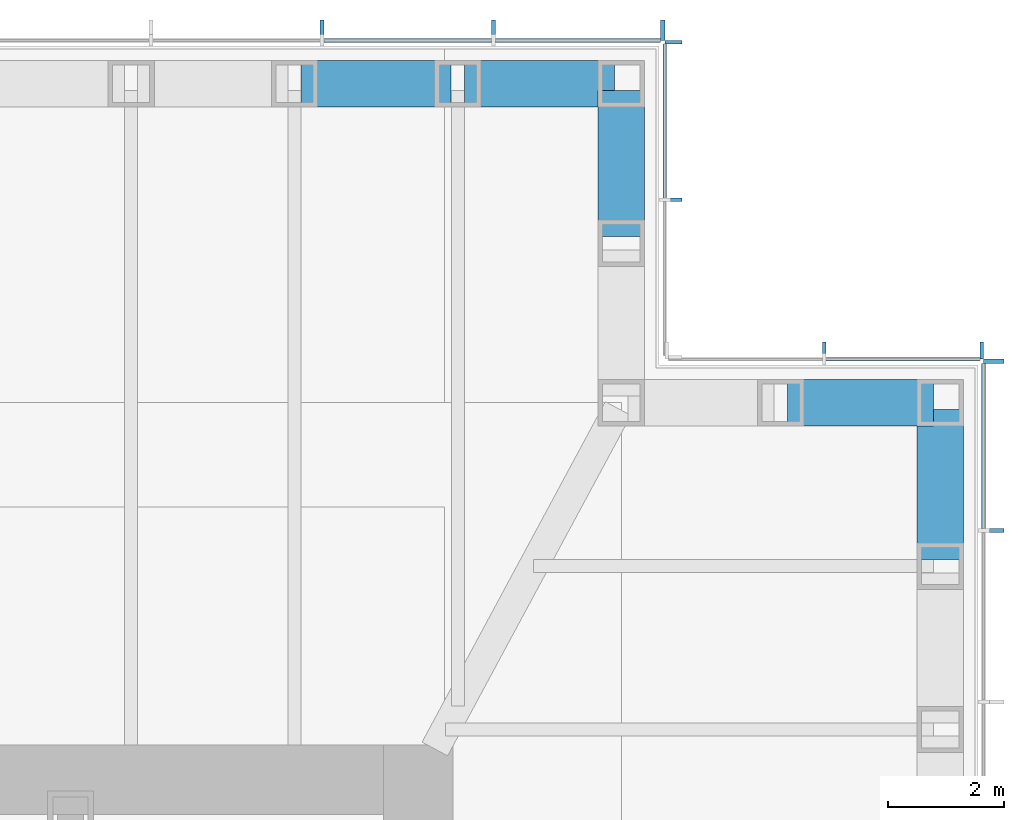
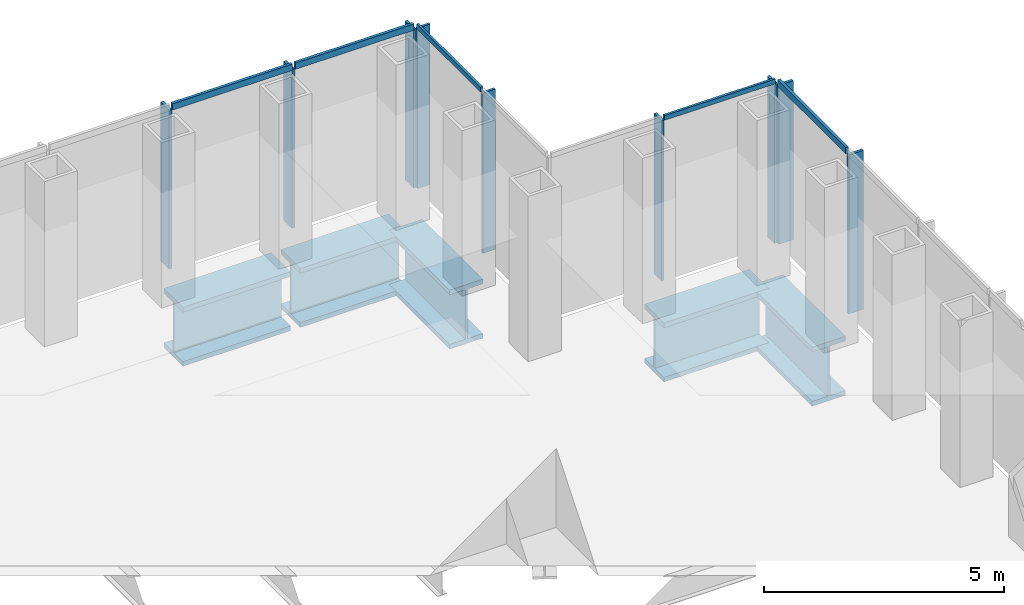
# One storey, part 6 of 16: 14 members, 5 beams, 4 elements without a shape of their own.
"""IFC4 building model written with IfcOpenShell, lengths in metres."""

from ifc_helpers import new_model, si_unit, direction, frame, origin, origin_2d, place, context, subcontext, project, spatial, rectangle, i_section, extrude, material, material_profile, profile_set, type_object, element, aggregate, save


model = new_model("IFC4")

# Units and contexts
model_context = context("Model", 3, precision=1e-05, world=origin(), true_north=direction((0.0, 1.0)))
body_context = subcontext(model_context, "Body", "Model", "MODEL_VIEW")
ifc_project = project(units=[si_unit("LENGTHUNIT", "METRE"), si_unit("AREAUNIT", "SQUARE_METRE"), si_unit("VOLUMEUNIT", "CUBIC_METRE"), si_unit("PLANEANGLEUNIT", "RADIAN"), si_unit("MASSUNIT", "GRAM", prefix="KILO")], contexts=[model_context])

# Site, building, storey
site_placement = place(None, origin())
site = spatial("IfcSite", under=ifc_project, at=site_placement, CompositionType="ELEMENT")
building_placement = place(site_placement, origin())
building = spatial("IfcBuilding", under=site, at=building_placement, Name="Daluyong Arena Tower", CompositionType="ELEMENT")
storey_placement = place(building_placement, frame((0.0, 0.0, 235.89990234375)))
storey = spatial("IfcBuildingStorey", under=building, at=storey_placement, Name="L53", CompositionType="ELEMENT", Elevation=235.89990234375)

# Curtain wall, members
ifc_material_1 = material(Name="Bronze anodised aluminium and glass", Category="aluminium")
curtain_wall_type_1 = type_object("IfcCurtainWallType", Name="Curtain wall CW3", PredefinedType="USERDEFINED", material=ifc_material_1)
curtain_wall_1_placement = place(storey_placement, origin())
curtain_wall_1 = element("IfcCurtainWall", 1, at=curtain_wall_1_placement, inside=storey, type_object=curtain_wall_type_1, Name="curtain wall L53 E", ObjectType="UNITISED CURTAIN WALL", PredefinedType="USERDEFINED")
ifc_material_2 = material(Name="Bronze anodised aluminium fin", Category="aluminium")
ifc_material_profile_1 = material_profile(ifc_material_2, rectangle(XDim=0.35009765625, YDim=0.070068359375, at=origin_2d()))
ifc_profile_set_1 = profile_set([ifc_material_profile_1], Name="Bronze anodised aluminium fin")
member_type_1 = type_object("IfcMemberType", Name="CW3 bronze fin 350x70", PredefinedType="MULLION", material=ifc_profile_set_1)
member_1_placement = place(storey_placement, frame((77.925048828125, 93.29541015625, 0.0), z_axis=(0.0, 0.0, 1.0), x_axis=(-1.0, 0.0, 0.0)))
member_1 = element("IfcMember", 2, at=member_1_placement, type_object=member_type_1, Name="curtain wall L53 E fin 11", PredefinedType="MULLION", context=body_context, shape_type="SweptSolid", body=[
    extrude(rectangle(XDim=0.35009765625, YDim=0.070068359375, at=origin_2d()), origin(), (0.0, 0.0, 1.0), 4.0400390625),
])
member_2_placement = place(storey_placement, frame((77.925048828125, 96.215087890625, 0.0), z_axis=(0.0, 0.0, 1.0), x_axis=(-1.0, 0.0, 0.0)))
member_2 = element("IfcMember", 3, at=member_2_placement, type_object=member_type_1, Name="curtain wall L53 E fin 12", PredefinedType="MULLION", context=body_context, shape_type="SweptSolid", body=[
    extrude(rectangle(XDim=0.35009765625, YDim=0.070068359375, at=origin_2d()), origin(), (0.0, 0.0, 1.0), 4.0400390625),
])

curtain_wall_2_placement = place(storey_placement, origin())
curtain_wall_2 = element("IfcCurtainWall", 4, at=curtain_wall_2_placement, inside=storey, type_object=curtain_wall_type_1, Name="curtain wall L53 N", ObjectType="UNITISED CURTAIN WALL", PredefinedType="USERDEFINED")
member_3_placement = place(storey_placement, frame((72.215087890625, 101.925048828125, 0.0), z_axis=(0.0, 0.0, 1.0), x_axis=(0.0, -1.0, 0.0)))
member_3 = element("IfcMember", 5, at=member_3_placement, type_object=member_type_1, Name="curtain wall L53 N fin 1", PredefinedType="MULLION", context=body_context, shape_type="SweptSolid", body=[
    extrude(rectangle(XDim=0.35009765625, YDim=0.070068359375, at=origin_2d()), origin(), (0.0, 0.0, 1.0), 4.0400390625),
])
member_4_placement = place(storey_placement, frame((69.29541015625, 101.925048828125, 0.0), z_axis=(0.0, 0.0, 1.0), x_axis=(0.0, -1.0, 0.0)))
member_4 = element("IfcMember", 6, at=member_4_placement, type_object=member_type_1, Name="curtain wall L53 N fin 2", PredefinedType="MULLION", context=body_context, shape_type="SweptSolid", body=[
    extrude(rectangle(XDim=0.35009765625, YDim=0.070068359375, at=origin_2d()), origin(), (0.0, 0.0, 1.0), 4.0400390625),
])
member_5_placement = place(storey_placement, frame((66.3408203125, 101.925048828125, 0.0), z_axis=(0.0, 0.0, 1.0), x_axis=(0.0, -1.0, 0.0)))
member_5 = element("IfcMember", 7, at=member_5_placement, type_object=member_type_1, Name="curtain wall L53 N fin 3", PredefinedType="MULLION", context=body_context, shape_type="SweptSolid", body=[
    extrude(rectangle(XDim=0.35009765625, YDim=0.070068359375, at=origin_2d()), origin(), (0.0, 0.0, 1.0), 4.0400390625),
])

# Member
ifc_material_3 = material(Name="Bronze anodised aluminium", Category="aluminium")
ifc_material_profile_2 = material_profile(ifc_material_3, rectangle(XDim=0.070068359375, YDim=0.159912109375, at=origin_2d()))
ifc_profile_set_2 = profile_set([ifc_material_profile_2], Name="Bronze anodised aluminium")
member_type_2 = type_object("IfcMemberType", Name="CW3 stack transom 160x70", PredefinedType="USERDEFINED", material=ifc_profile_set_2)
member_6_placement = place(storey_placement, frame((77.75, 93.33056640625, 4.1201171875), z_axis=(0.0, 1.0, 0.0), x_axis=(-1.0, 0.0, 0.0)))
member_6 = element("IfcMember", 8, at=member_6_placement, type_object=member_type_2, Name="curtain wall L53 E transom 11", ObjectType="TRANSOM", PredefinedType="USERDEFINED", context=body_context, shape_type="SweptSolid", body=[
    extrude(rectangle(XDim=0.070068359375, YDim=0.159912109375, at=origin_2d()), origin(), (0.0, 0.0, 1.0), 2.849365234375),
])

aggregate(curtain_wall_1, [member_1, member_2, member_6])

member_7_placement = place(storey_placement, frame((72.179931640625, 101.75, 4.1201171875), z_axis=(-1.0, 0.0, 0.0), x_axis=(0.0, -1.0, 0.0)))
member_7 = element("IfcMember", 9, at=member_7_placement, type_object=member_type_2, Name="curtain wall L53 N transom 1", ObjectType="TRANSOM", PredefinedType="USERDEFINED", context=body_context, shape_type="SweptSolid", body=[
    extrude(rectangle(XDim=0.070068359375, YDim=0.159912109375, at=origin_2d()), origin(), (0.0, 0.0, 1.0), 2.849365234375),
])

member_8_placement = place(storey_placement, frame((69.260498046875, 101.75, 4.1201171875), z_axis=(-1.0, 0.0, 0.0), x_axis=(0.0, -1.0, 0.0)))
member_8 = element("IfcMember", 10, at=member_8_placement, type_object=member_type_2, Name="curtain wall L53 N transom 2", ObjectType="TRANSOM", PredefinedType="USERDEFINED", context=body_context, shape_type="SweptSolid", body=[
    extrude(rectangle(XDim=0.070068359375, YDim=0.159912109375, at=origin_2d()), origin(), (0.0, 0.0, 1.0), 2.884521484375),
])

aggregate(curtain_wall_2, [member_3, member_4, member_5, member_7, member_8])

# Curtain wall, members
ifc_material_4 = material(Name="Bronze anodised aluminium and glass", Category="aluminium")
curtain_wall_type_2 = type_object("IfcCurtainWallType", Name="Curtain wall CW7", PredefinedType="USERDEFINED", material=ifc_material_4)
curtain_wall_3_placement = place(storey_placement, origin())
curtain_wall_3 = element("IfcCurtainWall", 11, at=curtain_wall_3_placement, inside=storey, type_object=curtain_wall_type_2, Name="curtain wall L53 NE-N", ObjectType="UNITISED CURTAIN WALL", PredefinedType="USERDEFINED")
ifc_material_5 = material(Name="Bronze anodised aluminium fin", Category="aluminium")
ifc_material_profile_3 = material_profile(ifc_material_5, rectangle(XDim=0.300048828125, YDim=0.06005859375, at=origin_2d()))
ifc_profile_set_3 = profile_set([ifc_material_profile_3], Name="Bronze anodised aluminium fin")
member_type_3 = type_object("IfcMemberType", Name="CW7 bronze fin 300x60", PredefinedType="MULLION", material=ifc_profile_set_3)
member_9_placement = place(storey_placement, frame((77.719970703125, 96.39990234375, 0.0), z_axis=(0.0, 0.0, 1.0), x_axis=(0.0, -1.0, 0.0)))
member_9 = element("IfcMember", 12, at=member_9_placement, type_object=member_type_3, Name="curtain wall L53 NE-N fin 1", PredefinedType="MULLION", context=body_context, shape_type="SweptSolid", body=[
    extrude(rectangle(XDim=0.300048828125, YDim=0.06005859375, at=origin_2d()), origin(), (0.0, 0.0, 1.0), 4.080078125),
])
member_10_placement = place(storey_placement, frame((75.0, 96.39990234375, 0.0), z_axis=(0.0, 0.0, 1.0), x_axis=(0.0, -1.0, 0.0)))
member_10 = element("IfcMember", 13, at=member_10_placement, type_object=member_type_3, Name="curtain wall L53 NE-N fin 2", PredefinedType="MULLION", context=body_context, shape_type="SweptSolid", body=[
    extrude(rectangle(XDim=0.300048828125, YDim=0.06005859375, at=origin_2d()), origin(), (0.0, 0.0, 1.0), 4.080078125),
])

curtain_wall_4_placement = place(storey_placement, origin())
curtain_wall_4 = element("IfcCurtainWall", 14, at=curtain_wall_4_placement, inside=storey, type_object=curtain_wall_type_2, Name="curtain wall L53 NE-E", ObjectType="UNITISED CURTAIN WALL", PredefinedType="USERDEFINED")
member_11_placement = place(storey_placement, frame((72.39990234375, 99.0, 0.0), z_axis=(0.0, 0.0, 1.0), x_axis=(-1.0, 0.0, 0.0)))
member_11 = element("IfcMember", 15, at=member_11_placement, type_object=member_type_3, Name="curtain wall L53 NE-E fin 2", PredefinedType="MULLION", context=body_context, shape_type="SweptSolid", body=[
    extrude(rectangle(XDim=0.300048828125, YDim=0.06005859375, at=origin_2d()), origin(), (0.0, 0.0, 1.0), 4.080078125),
])
member_12_placement = place(storey_placement, frame((72.39990234375, 101.719970703125, 0.0), z_axis=(0.0, 0.0, 1.0), x_axis=(-1.0, 0.0, 0.0)))
member_12 = element("IfcMember", 16, at=member_12_placement, type_object=member_type_3, Name="curtain wall L53 NE-E fin 3", PredefinedType="MULLION", context=body_context, shape_type="SweptSolid", body=[
    extrude(rectangle(XDim=0.300048828125, YDim=0.06005859375, at=origin_2d()), origin(), (0.0, 0.0, 1.0), 4.080078125),
])

# Member
ifc_material_6 = material(Name="Bronze anodised aluminium", Category="aluminium")
ifc_material_profile_4 = material_profile(ifc_material_6, rectangle(XDim=0.06005859375, YDim=0.1201171875, at=origin_2d()))
ifc_profile_set_4 = profile_set([ifc_material_profile_4], Name="Bronze anodised aluminium")
member_type_4 = type_object("IfcMemberType", Name="CW7 stack transom 120x60", PredefinedType="USERDEFINED", material=ifc_profile_set_4)
member_13_placement = place(storey_placement, frame((77.68994140625, 96.25, 4.14013671875), z_axis=(-1.0, 0.0, 0.0), x_axis=(0.0, -1.0, 0.0)))
member_13 = element("IfcMember", 17, at=member_13_placement, type_object=member_type_4, Name="curtain wall L53 NE-N transom 1", ObjectType="TRANSOM", PredefinedType="USERDEFINED", context=body_context, shape_type="SweptSolid", body=[
    extrude(rectangle(XDim=0.06005859375, YDim=0.1201171875, at=origin_2d()), origin(), (0.0, 0.0, 1.0), 2.659912109375),
])

aggregate(curtain_wall_3, [member_9, member_10, member_13])

member_14_placement = place(storey_placement, frame((72.25, 99.030029296875, 4.14013671875), z_axis=(0.0, 1.0, 0.0), x_axis=(-1.0, 0.0, 0.0)))
member_14 = element("IfcMember", 18, at=member_14_placement, type_object=member_type_4, Name="curtain wall L53 NE-E transom 2", ObjectType="TRANSOM", PredefinedType="USERDEFINED", context=body_context, shape_type="SweptSolid", body=[
    extrude(rectangle(XDim=0.06005859375, YDim=0.1201171875, at=origin_2d()), origin(), (0.0, 0.0, 1.0), 2.659912109375),
])

aggregate(curtain_wall_4, [member_11, member_12, member_14])

# Beams
ifc_material_7 = material(Name="Steel ASTM A588 Grade 50", Category="steel")
ifc_material_profile_5 = material_profile(ifc_material_7, i_section(OverallWidth=0.800048828125, OverallDepth=1.5, WebThickness=0.05, FlangeThickness=0.12, at=origin_2d()))
ifc_profile_set_5 = profile_set([ifc_material_profile_5], Name="Steel ASTM A588 Grade 50")
beam_type = type_object("IfcBeamType", Name="Spandrel Z3 PG1500X800", PredefinedType="SPANDREL", material=ifc_profile_set_5)
beam_1_placement = place(storey_placement, frame((77.0, 92.796875, -0.909912109375), z_axis=(0.0, 1.0, 0.0), x_axis=(-1.0, 0.0, 0.0)))
element("IfcBeam", 19, at=beam_1_placement, inside=storey, type_object=beam_type, Name="spandrel z3 SB7", PredefinedType="SPANDREL", context=body_context, shape_type="SweptSolid", body=[
    extrude(i_section(OverallWidth=0.800048828125, OverallDepth=1.5, WebThickness=0.05, FlangeThickness=0.12, at=origin_2d()), origin(), (0.0, 0.0, 1.0), 2.588134765625),
])
for number, where, z_axis, x_axis, name in (
    (20, (76.885009765625, 95.5, -0.909912109375), (-1.0, 0.0, 0.0), (0.0, -1.0, 0.0), "spandrel z3 SB7"),
    (21, (71.5, 98.364990234375, -0.909912109375), (0.0, 1.0, 0.0), (-1.0, 0.0, 0.0), "spandrel z3 SB7"),
):
    element("IfcBeam", number, at=place(storey_placement, frame(where, z_axis=z_axis, x_axis=x_axis)), inside=storey, type_object=beam_type, Name=name, PredefinedType="SPANDREL", context=body_context, shape_type="SweptSolid", body=[
        extrude(i_section(OverallWidth=0.800048828125, OverallDepth=1.5, WebThickness=0.05, FlangeThickness=0.12, at=origin_2d()), origin(), (0.0, 0.0, 1.0), 2.52001953125),
    ])
beam_2_placement = place(storey_placement, frame((71.385009765625, 101.0, -0.909912109375), z_axis=(-1.0, 0.0, 0.0), x_axis=(0.0, -1.0, 0.0)))
element("IfcBeam", 22, at=beam_2_placement, inside=storey, type_object=beam_type, Name="spandrel z3 SB7", PredefinedType="SPANDREL", context=body_context, shape_type="SweptSolid", body=[
    extrude(i_section(OverallWidth=0.800048828125, OverallDepth=1.5, WebThickness=0.05, FlangeThickness=0.12, at=origin_2d()), origin(), (0.0, 0.0, 1.0), 2.588134765625),
])
beam_3_placement = place(storey_placement, frame((68.56689453125, 101.0, -0.909912109375), z_axis=(-1.0, 0.0, 0.0), x_axis=(0.0, -1.0, 0.0)))
element("IfcBeam", 23, at=beam_3_placement, inside=storey, type_object=beam_type, Name="spandrel z3 SB7", PredefinedType="SPANDREL", context=body_context, shape_type="SweptSolid", body=[
    extrude(i_section(OverallWidth=0.800048828125, OverallDepth=1.5, WebThickness=0.05, FlangeThickness=0.12, at=origin_2d()), origin(), (0.0, 0.0, 1.0), 2.58837890625),
])

save(model, "model.ifc")
